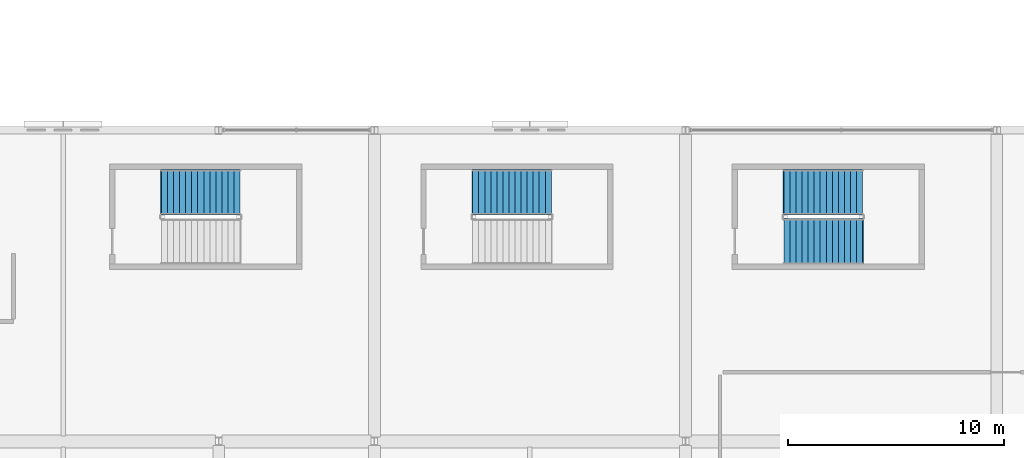
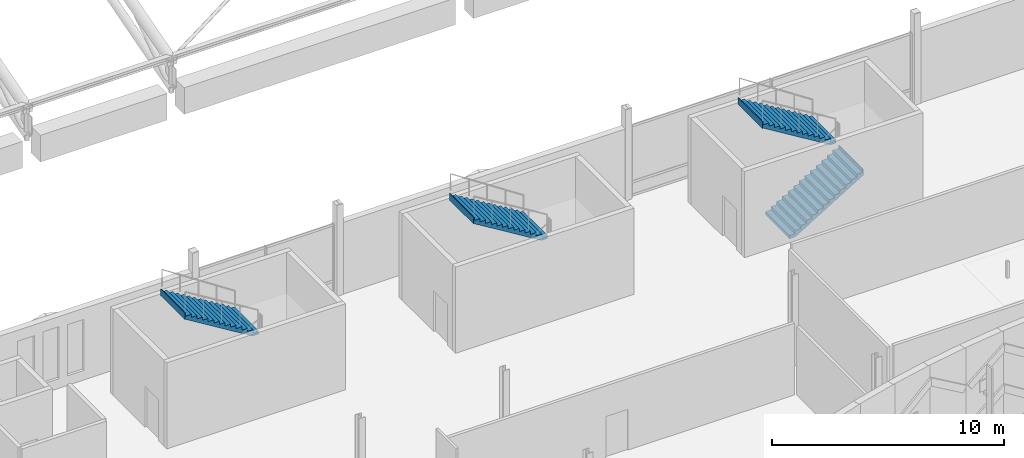
# One storey, part 165 of 193: 4 stair flights, 3 elements without a shape of their own.
"""IFC4 building model written with IfcOpenShell, lengths in metres."""

from ifc_helpers import new_model, si_unit, direction, frame, origin, place, context, subcontext, project, spatial, triangles, material, type_object, element, aggregate, save


model = new_model("IFC4")

# Units and contexts
model_context = context("Model", 3, precision=1e-05, world=origin(), true_north=direction((0.0, 1.0)))
body_context = subcontext(model_context, "Body", "Model", "MODEL_VIEW")
ifc_project = project(units=[si_unit("LENGTHUNIT", "METRE"), si_unit("AREAUNIT", "SQUARE_METRE"), si_unit("VOLUMEUNIT", "CUBIC_METRE"), si_unit("PLANEANGLEUNIT", "RADIAN"), si_unit("MASSUNIT", "GRAM", prefix="KILO")], contexts=[model_context])

# Site, building, storey
site_placement = place(None, origin())
site = spatial("IfcSite", under=ifc_project, at=site_placement, CompositionType="ELEMENT")
building_placement = place(site_placement, origin())
building = spatial("IfcBuilding", under=site, at=building_placement, Name="Cendralis Lancet Convention Centre", CompositionType="ELEMENT")
storey_placement = place(building_placement, frame((0.0, 0.0, 10.199951171875)))
storey = spatial("IfcBuildingStorey", under=building, at=storey_placement, Name="L02", CompositionType="ELEMENT", Elevation=10.199951171875)

# Stair, stair flight
ifc_material = material(Name="Concrete G35 (C35/45)", Category="concrete")
stair_type = type_object("IfcStairType", Name="ARC-ST-CORE", PredefinedType="HALF_TURN_STAIR", material=ifc_material)
stair_1_placement = place(storey_placement, origin())
stair_1 = element("IfcStair", 1, at=stair_1_placement, inside=storey, type_object=stair_type, Name="L02 Protected Exit Stair ST-12", PredefinedType="HALF_TURN_STAIR")
stair_flight_type = type_object("IfcStairFlightType", Name="ARC-SF-CORE", PredefinedType="STRAIGHT", material=ifc_material)
stair_flight_1_placement = place(storey_placement, frame((72.989990234375, 33.1298828125, 2.400146484375), z_axis=(0.0, 0.0, 1.0), x_axis=(-1.0, 0.0, 0.0)))
stair_flight_1 = element("IfcStairFlight", 2, at=stair_flight_1_placement, type_object=stair_flight_type, Name="ST-12 flight 2", NumberOfRisers=14, NumberOfTreads=13, PredefinedType="STRAIGHT", RiserHeight=0.171428571, TreadLength=0.28, context=body_context, shape_type="Tessellation", body=[
    triangles([(0.0, 0.0, 0.085714), (0.0, 1.050049, 0.0), (0.0, -1.050049, 0.0), (0.0, -1.050049, 0.171429), (0.0, 1.050049, 0.171429), (0.14, 0.0, 0.171429), (0.28, -1.050049, 0.171429), (0.28, 1.050049, 0.171429), (0.14, 0.0, 0.0), (0.28, -1.050049, 0.0), (0.28, 1.050049, 0.0), (0.28, 0.0, 0.257143), (0.28, -1.050049, 0.342857), (0.28, 1.050049, 0.342857), (0.283543, 0.0, 0.342857), (0.287085, -1.050049, 0.342857), (0.287085, 1.050049, 0.342857), (0.283543, 0.0, 0.0), (0.287085, -1.050049, 0.0), (0.287085, 1.050049, 0.0), (0.423543, 0.0, 0.342857), (0.56, -1.050049, 0.342857), (0.56, 1.050049, 0.342857), (0.423543, 0.0, 0.083545), (0.56, -1.050049, 0.167091), (0.56, 1.050049, 0.167091), (0.56, 0.0, 0.428572), (0.56, -1.050049, 0.514286), (0.56, 1.050049, 0.514286), (0.7, 0.0, 0.514286), (0.84, -1.050049, 0.514286), (0.84, 1.050049, 0.514286), (0.7, 0.0, 0.252806), (0.84, -1.050049, 0.33852), (0.84, 1.050049, 0.33852), (0.84, 0.0, 0.6), (0.84, -1.050049, 0.685714), (0.84, 1.050049, 0.685714), (0.98, 0.0, 0.685714), (1.12, -1.050049, 0.685714), (1.12, 1.050049, 0.685714), (0.98, 0.0, 0.424234), (1.12, -1.050049, 0.509948), (1.12, 1.050049, 0.509948), (1.12, 0.0, 0.771429), (1.12, -1.050049, 0.857143), (1.12, 1.050049, 0.857143), (1.26, 0.0, 0.857143), (1.4, -1.050049, 0.857143), (1.4, 1.050049, 0.857143), (1.26, 0.0, 0.595662), (1.4, -1.050049, 0.681377), (1.4, 1.050049, 0.681377), (1.4, 0.0, 0.942857), (1.4, -1.050049, 1.028571), (1.4, 1.050049, 1.028571), (1.54, 0.0, 1.028571), (1.68, -1.050049, 1.028571), (1.68, 1.050049, 1.028571), (1.54, 0.0, 0.767091), (1.68, -1.050049, 0.852805), (1.68, 1.050049, 0.852805), (1.68, 0.0, 1.114286), (1.68, -1.050049, 1.2), (1.68, 1.050049, 1.2), (1.82, 0.0, 1.2), (1.96, -1.050049, 1.2), (1.96, 1.050049, 1.2), (1.82, 0.0, 0.938519), (1.96, -1.050049, 1.024234), (1.96, 1.050049, 1.024234), (1.96, 0.0, 1.285715), (1.96, -1.050049, 1.371429), (1.96, 1.050049, 1.371429), (2.1, 0.0, 1.371429), (2.24, -1.050049, 1.371429), (2.24, 1.050049, 1.371429), (2.1, 0.0, 1.109948), (2.24, -1.050049, 1.195662), (2.24, 1.050049, 1.195662), (2.24, 0.0, 1.457143), (2.24, -1.050049, 1.542857), (2.24, 1.050049, 1.542857), (2.38, 0.0, 1.542857), (2.52, -1.050049, 1.542857), (2.52, 1.050049, 1.542857), (2.38, 0.0, 1.281376), (2.52, -1.050049, 1.367091), (2.52, 1.050049, 1.367091), (2.52, 0.0, 1.628572), (2.52, -1.050049, 1.714286), (2.52, 1.050049, 1.714286), (2.66, 0.0, 1.714286), (2.8, -1.050049, 1.714286), (2.8, 1.050049, 1.714286), (2.66, 0.0, 1.452806), (2.8, -1.050049, 1.53852), (2.8, 1.050049, 1.53852), (2.8, 0.0, 1.8), (2.8, -1.050049, 1.885714), (2.8, 1.050049, 1.885714), (2.94, 0.0, 1.885714), (3.08, -1.050049, 1.885714), (3.08, 1.050049, 1.885714), (2.94, 0.0, 1.624234), (3.08, -1.050049, 1.709948), (3.08, 1.050049, 1.709948), (3.08, 0.0, 1.971429), (3.08, -1.050049, 2.057143), (3.08, 1.050049, 2.057143), (3.22, 0.0, 2.057143), (3.36, -1.050049, 2.057143), (3.36, 1.050049, 2.057143), (3.22, 0.0, 1.795663), (3.36, -1.050049, 1.881377), (3.36, 1.050049, 1.881377), (3.36, 0.0, 2.142857), (3.36, -1.050049, 2.228571), (3.36, 1.050049, 2.228571), (3.5, 0.0, 2.228571), (3.64, -1.050049, 2.228571), (3.64, 1.050049, 2.228571), (3.5, 0.0, 1.967091), (3.64, -1.050049, 2.052805), (3.64, 1.050049, 2.052805), (3.64, 0.0, 2.314285), (3.64, -1.050049, 2.4), (3.64, 1.050049, 2.4), (3.66, 0.0, 2.4), (3.68, -1.050049, 2.4), (3.68, 1.050049, 2.4), (3.66, 0.0, 2.052805), (3.68, -1.050049, 2.052805), (3.68, 1.050049, 2.052805), (3.68, 0.0, 2.226403)], [[2, 3, 1], [3, 4, 1], [4, 5, 1], [5, 2, 1], [4, 7, 6], [7, 8, 6], [8, 5, 6], [5, 4, 6], [10, 3, 9], [3, 2, 9], [2, 11, 9], [11, 10, 9], [3, 10, 7], [3, 7, 4], [2, 8, 11], [2, 5, 8], [8, 7, 12], [7, 13, 12], [13, 14, 12], [14, 8, 12], [13, 16, 15], [16, 17, 15], [17, 14, 15], [14, 13, 15], [19, 10, 18], [10, 11, 18], [11, 20, 18], [20, 19, 18], [10, 19, 16], [10, 16, 7], [7, 16, 13], [11, 17, 20], [11, 8, 17], [8, 14, 17], [16, 22, 21], [22, 23, 21], [23, 17, 21], [17, 16, 21], [25, 19, 24], [19, 20, 24], [20, 26, 24], [26, 25, 24], [19, 25, 22], [19, 22, 16], [20, 23, 26], [20, 17, 23], [23, 22, 27], [22, 28, 27], [28, 29, 27], [29, 23, 27], [28, 31, 30], [31, 32, 30], [32, 29, 30], [29, 28, 30], [34, 25, 33], [25, 26, 33], [26, 35, 33], [35, 34, 33], [25, 34, 31], [25, 31, 22], [22, 31, 28], [26, 32, 35], [26, 23, 32], [23, 29, 32], [32, 31, 36], [31, 37, 36], [37, 38, 36], [38, 32, 36], [37, 40, 39], [40, 41, 39], [41, 38, 39], [38, 37, 39], [43, 34, 42], [34, 35, 42], [35, 44, 42], [44, 43, 42], [34, 43, 40], [34, 40, 31], [31, 40, 37], [35, 41, 44], [35, 32, 41], [32, 38, 41], [41, 40, 45], [40, 46, 45], [46, 47, 45], [47, 41, 45], [46, 49, 48], [49, 50, 48], [50, 47, 48], [47, 46, 48], [52, 43, 51], [43, 44, 51], [44, 53, 51], [53, 52, 51], [43, 52, 49], [43, 49, 40], [40, 49, 46], [44, 50, 53], [44, 41, 50], [41, 47, 50], [50, 49, 54], [49, 55, 54], [55, 56, 54], [56, 50, 54], [55, 58, 57], [58, 59, 57], [59, 56, 57], [56, 55, 57], [61, 52, 60], [52, 53, 60], [53, 62, 60], [62, 61, 60], [52, 61, 58], [52, 58, 49], [49, 58, 55], [53, 59, 62], [53, 50, 59], [50, 56, 59], [59, 58, 63], [58, 64, 63], [64, 65, 63], [65, 59, 63], [64, 67, 66], [67, 68, 66], [68, 65, 66], [65, 64, 66], [70, 61, 69], [61, 62, 69], [62, 71, 69], [71, 70, 69], [61, 70, 67], [61, 67, 58], [58, 67, 64], [62, 68, 71], [62, 59, 68], [59, 65, 68], [68, 67, 72], [67, 73, 72], [73, 74, 72], [74, 68, 72], [73, 76, 75], [76, 77, 75], [77, 74, 75], [74, 73, 75], [79, 70, 78], [70, 71, 78], [71, 80, 78], [80, 79, 78], [70, 79, 76], [70, 76, 67], [67, 76, 73], [71, 77, 80], [71, 68, 77], [68, 74, 77], [77, 76, 81], [76, 82, 81], [82, 83, 81], [83, 77, 81], [82, 85, 84], [85, 86, 84], [86, 83, 84], [83, 82, 84], [88, 79, 87], [79, 80, 87], [80, 89, 87], [89, 88, 87], [79, 88, 85], [79, 85, 76], [76, 85, 82], [80, 86, 89], [80, 77, 86], [77, 83, 86], [86, 85, 90], [85, 91, 90], [91, 92, 90], [92, 86, 90], [91, 94, 93], [94, 95, 93], [95, 92, 93], [92, 91, 93], [97, 88, 96], [88, 89, 96], [89, 98, 96], [98, 97, 96], [88, 97, 94], [88, 94, 85], [85, 94, 91], [89, 95, 98], [89, 86, 95], [86, 92, 95], [95, 94, 99], [94, 100, 99], [100, 101, 99], [101, 95, 99], [100, 103, 102], [103, 104, 102], [104, 101, 102], [101, 100, 102], [106, 97, 105], [97, 98, 105], [98, 107, 105], [107, 106, 105], [97, 106, 103], [97, 103, 94], [94, 103, 100], [98, 104, 107], [98, 95, 104], [95, 101, 104], [104, 103, 108], [103, 109, 108], [109, 110, 108], [110, 104, 108], [109, 112, 111], [112, 113, 111], [113, 110, 111], [110, 109, 111], [115, 106, 114], [106, 107, 114], [107, 116, 114], [116, 115, 114], [106, 115, 112], [106, 112, 103], [103, 112, 109], [107, 113, 116], [107, 104, 113], [104, 110, 113], [113, 112, 117], [112, 118, 117], [118, 119, 117], [119, 113, 117], [118, 121, 120], [121, 122, 120], [122, 119, 120], [119, 118, 120], [124, 115, 123], [115, 116, 123], [116, 125, 123], [125, 124, 123], [115, 124, 121], [115, 121, 112], [112, 121, 118], [116, 122, 125], [116, 113, 122], [113, 119, 122], [122, 121, 126], [121, 127, 126], [127, 128, 126], [128, 122, 126], [127, 130, 129], [130, 131, 129], [131, 128, 129], [128, 127, 129], [133, 124, 132], [124, 125, 132], [125, 134, 132], [134, 133, 132], [124, 133, 130], [124, 130, 121], [121, 130, 127], [125, 131, 134], [125, 122, 131], [122, 128, 131], [133, 134, 135], [134, 131, 135], [131, 130, 135], [130, 133, 135]], closed=True),
])
aggregate(stair_1, [stair_flight_1])

# Stair, stair flights
stair_2_placement = place(storey_placement, origin())
stair_2 = element("IfcStair", 3, at=stair_2_placement, inside=storey, type_object=stair_type, Name="L02 Protected Exit Stair ST-18", PredefinedType="HALF_TURN_STAIR")
stair_flight_2_placement = place(storey_placement, frame((98.14990234375, 30.85009765625, 0.0), z_axis=(0.0, 0.0, 1.0), x_axis=(1.0, 0.0, 0.0)))
stair_flight_2 = element("IfcStairFlight", 4, at=stair_flight_2_placement, type_object=stair_flight_type, Name="ST-18 flight 1", NumberOfRisers=14, NumberOfTreads=13, PredefinedType="STRAIGHT", RiserHeight=0.171428571, TreadLength=0.28, context=body_context, shape_type="Tessellation", body=[
    triangles([(0.0, 0.0, 0.085714), (0.0, 1.050049, 0.0), (0.0, -1.050049, 0.0), (0.0, -1.050049, 0.171429), (0.0, 1.050049, 0.171429), (0.14, 0.0, 0.171429), (0.28, -1.050049, 0.171429), (0.28, 1.050049, 0.171429), (0.14, 0.0, 0.0), (0.28, -1.050049, 0.0), (0.28, 1.050049, 0.0), (0.28, 0.0, 0.257143), (0.28, -1.050049, 0.342857), (0.28, 1.050049, 0.342857), (0.283543, 0.0, 0.342857), (0.287085, -1.050049, 0.342857), (0.287085, 1.050049, 0.342857), (0.283543, 0.0, 0.0), (0.287085, -1.050049, 0.0), (0.287085, 1.050049, 0.0), (0.423543, 0.0, 0.342857), (0.56, -1.050049, 0.342857), (0.56, 1.050049, 0.342857), (0.423543, 0.0, 0.083545), (0.56, -1.050049, 0.167091), (0.56, 1.050049, 0.167091), (0.56, 0.0, 0.428572), (0.56, -1.050049, 0.514286), (0.56, 1.050049, 0.514286), (0.7, 0.0, 0.514286), (0.84, -1.050049, 0.514286), (0.84, 1.050049, 0.514286), (0.7, 0.0, 0.252806), (0.84, -1.050049, 0.33852), (0.84, 1.050049, 0.33852), (0.84, 0.0, 0.6), (0.84, -1.050049, 0.685714), (0.84, 1.050049, 0.685714), (0.98, 0.0, 0.685714), (1.12, -1.050049, 0.685714), (1.12, 1.050049, 0.685714), (0.98, 0.0, 0.424234), (1.12, -1.050049, 0.509948), (1.12, 1.050049, 0.509948), (1.12, 0.0, 0.771429), (1.12, -1.050049, 0.857143), (1.12, 1.050049, 0.857143), (1.26, 0.0, 0.857143), (1.4, -1.050049, 0.857143), (1.4, 1.050049, 0.857143), (1.26, 0.0, 0.595662), (1.4, -1.050049, 0.681377), (1.4, 1.050049, 0.681377), (1.4, 0.0, 0.942857), (1.4, -1.050049, 1.028571), (1.4, 1.050049, 1.028571), (1.54, 0.0, 1.028571), (1.68, -1.050049, 1.028571), (1.68, 1.050049, 1.028571), (1.54, 0.0, 0.767091), (1.68, -1.050049, 0.852805), (1.68, 1.050049, 0.852805), (1.68, 0.0, 1.114286), (1.68, -1.050049, 1.2), (1.68, 1.050049, 1.2), (1.82, 0.0, 1.2), (1.96, -1.050049, 1.2), (1.96, 1.050049, 1.2), (1.82, 0.0, 0.938519), (1.96, -1.050049, 1.024234), (1.96, 1.050049, 1.024234), (1.96, 0.0, 1.285715), (1.96, -1.050049, 1.371429), (1.96, 1.050049, 1.371429), (2.1, 0.0, 1.371429), (2.24, -1.050049, 1.371429), (2.24, 1.050049, 1.371429), (2.1, 0.0, 1.109948), (2.24, -1.050049, 1.195662), (2.24, 1.050049, 1.195662), (2.24, 0.0, 1.457143), (2.24, -1.050049, 1.542857), (2.24, 1.050049, 1.542857), (2.38, 0.0, 1.542857), (2.52, -1.050049, 1.542857), (2.52, 1.050049, 1.542857), (2.38, 0.0, 1.281376), (2.52, -1.050049, 1.367091), (2.52, 1.050049, 1.367091), (2.52, 0.0, 1.628572), (2.52, -1.050049, 1.714286), (2.52, 1.050049, 1.714286), (2.66, 0.0, 1.714286), (2.8, -1.050049, 1.714286), (2.8, 1.050049, 1.714286), (2.66, 0.0, 1.452806), (2.8, -1.050049, 1.53852), (2.8, 1.050049, 1.53852), (2.8, 0.0, 1.8), (2.8, -1.050049, 1.885714), (2.8, 1.050049, 1.885714), (2.94, 0.0, 1.885714), (3.08, -1.050049, 1.885714), (3.08, 1.050049, 1.885714), (2.94, 0.0, 1.624234), (3.08, -1.050049, 1.709948), (3.08, 1.050049, 1.709948), (3.08, 0.0, 1.971429), (3.08, -1.050049, 2.057143), (3.08, 1.050049, 2.057143), (3.22, 0.0, 2.057143), (3.36, -1.050049, 2.057143), (3.36, 1.050049, 2.057143), (3.22, 0.0, 1.795663), (3.36, -1.050049, 1.881377), (3.36, 1.050049, 1.881377), (3.36, 0.0, 2.142857), (3.36, -1.050049, 2.228571), (3.36, 1.050049, 2.228571), (3.5, 0.0, 2.228571), (3.64, -1.050049, 2.228571), (3.64, 1.050049, 2.228571), (3.5, 0.0, 1.967091), (3.64, -1.050049, 2.052805), (3.64, 1.050049, 2.052805), (3.64, 0.0, 2.314285), (3.64, -1.050049, 2.4), (3.64, 1.050049, 2.4), (3.66, 0.0, 2.4), (3.68, -1.050049, 2.4), (3.68, 1.050049, 2.4), (3.66, 0.0, 2.052805), (3.68, -1.050049, 2.052805), (3.68, 1.050049, 2.052805), (3.68, 0.0, 2.226403)], [[2, 3, 1], [3, 4, 1], [4, 5, 1], [5, 2, 1], [4, 7, 6], [7, 8, 6], [8, 5, 6], [5, 4, 6], [10, 3, 9], [3, 2, 9], [2, 11, 9], [11, 10, 9], [3, 10, 7], [3, 7, 4], [2, 8, 11], [2, 5, 8], [8, 7, 12], [7, 13, 12], [13, 14, 12], [14, 8, 12], [13, 16, 15], [16, 17, 15], [17, 14, 15], [14, 13, 15], [19, 10, 18], [10, 11, 18], [11, 20, 18], [20, 19, 18], [10, 19, 16], [10, 16, 7], [7, 16, 13], [11, 17, 20], [11, 8, 17], [8, 14, 17], [16, 22, 21], [22, 23, 21], [23, 17, 21], [17, 16, 21], [25, 19, 24], [19, 20, 24], [20, 26, 24], [26, 25, 24], [19, 25, 22], [19, 22, 16], [20, 23, 26], [20, 17, 23], [23, 22, 27], [22, 28, 27], [28, 29, 27], [29, 23, 27], [28, 31, 30], [31, 32, 30], [32, 29, 30], [29, 28, 30], [34, 25, 33], [25, 26, 33], [26, 35, 33], [35, 34, 33], [25, 34, 31], [25, 31, 22], [22, 31, 28], [26, 32, 35], [26, 23, 32], [23, 29, 32], [32, 31, 36], [31, 37, 36], [37, 38, 36], [38, 32, 36], [37, 40, 39], [40, 41, 39], [41, 38, 39], [38, 37, 39], [43, 34, 42], [34, 35, 42], [35, 44, 42], [44, 43, 42], [34, 43, 40], [34, 40, 31], [31, 40, 37], [35, 41, 44], [35, 32, 41], [32, 38, 41], [41, 40, 45], [40, 46, 45], [46, 47, 45], [47, 41, 45], [46, 49, 48], [49, 50, 48], [50, 47, 48], [47, 46, 48], [52, 43, 51], [43, 44, 51], [44, 53, 51], [53, 52, 51], [43, 52, 49], [43, 49, 40], [40, 49, 46], [44, 50, 53], [44, 41, 50], [41, 47, 50], [50, 49, 54], [49, 55, 54], [55, 56, 54], [56, 50, 54], [55, 58, 57], [58, 59, 57], [59, 56, 57], [56, 55, 57], [61, 52, 60], [52, 53, 60], [53, 62, 60], [62, 61, 60], [52, 61, 58], [52, 58, 49], [49, 58, 55], [53, 59, 62], [53, 50, 59], [50, 56, 59], [59, 58, 63], [58, 64, 63], [64, 65, 63], [65, 59, 63], [64, 67, 66], [67, 68, 66], [68, 65, 66], [65, 64, 66], [70, 61, 69], [61, 62, 69], [62, 71, 69], [71, 70, 69], [61, 70, 67], [61, 67, 58], [58, 67, 64], [62, 68, 71], [62, 59, 68], [59, 65, 68], [68, 67, 72], [67, 73, 72], [73, 74, 72], [74, 68, 72], [73, 76, 75], [76, 77, 75], [77, 74, 75], [74, 73, 75], [79, 70, 78], [70, 71, 78], [71, 80, 78], [80, 79, 78], [70, 79, 76], [70, 76, 67], [67, 76, 73], [71, 77, 80], [71, 68, 77], [68, 74, 77], [77, 76, 81], [76, 82, 81], [82, 83, 81], [83, 77, 81], [82, 85, 84], [85, 86, 84], [86, 83, 84], [83, 82, 84], [88, 79, 87], [79, 80, 87], [80, 89, 87], [89, 88, 87], [79, 88, 85], [79, 85, 76], [76, 85, 82], [80, 86, 89], [80, 77, 86], [77, 83, 86], [86, 85, 90], [85, 91, 90], [91, 92, 90], [92, 86, 90], [91, 94, 93], [94, 95, 93], [95, 92, 93], [92, 91, 93], [97, 88, 96], [88, 89, 96], [89, 98, 96], [98, 97, 96], [88, 97, 94], [88, 94, 85], [85, 94, 91], [89, 95, 98], [89, 86, 95], [86, 92, 95], [95, 94, 99], [94, 100, 99], [100, 101, 99], [101, 95, 99], [100, 103, 102], [103, 104, 102], [104, 101, 102], [101, 100, 102], [106, 97, 105], [97, 98, 105], [98, 107, 105], [107, 106, 105], [97, 106, 103], [97, 103, 94], [94, 103, 100], [98, 104, 107], [98, 95, 104], [95, 101, 104], [104, 103, 108], [103, 109, 108], [109, 110, 108], [110, 104, 108], [109, 112, 111], [112, 113, 111], [113, 110, 111], [110, 109, 111], [115, 106, 114], [106, 107, 114], [107, 116, 114], [116, 115, 114], [106, 115, 112], [106, 112, 103], [103, 112, 109], [107, 113, 116], [107, 104, 113], [104, 110, 113], [113, 112, 117], [112, 118, 117], [118, 119, 117], [119, 113, 117], [118, 121, 120], [121, 122, 120], [122, 119, 120], [119, 118, 120], [124, 115, 123], [115, 116, 123], [116, 125, 123], [125, 124, 123], [115, 124, 121], [115, 121, 112], [112, 121, 118], [116, 122, 125], [116, 113, 122], [113, 119, 122], [122, 121, 126], [121, 127, 126], [127, 128, 126], [128, 122, 126], [127, 130, 129], [130, 131, 129], [131, 128, 129], [128, 127, 129], [133, 124, 132], [124, 125, 132], [125, 134, 132], [134, 133, 132], [124, 133, 130], [124, 130, 121], [121, 130, 127], [125, 131, 134], [125, 122, 131], [122, 128, 131], [133, 134, 135], [134, 131, 135], [131, 130, 135], [130, 133, 135]], closed=True),
])
stair_flight_3_placement = place(storey_placement, frame((101.7900390625, 33.1298828125, 2.400146484375), z_axis=(0.0, 0.0, 1.0), x_axis=(-1.0, 0.0, 0.0)))
stair_flight_3 = element("IfcStairFlight", 5, at=stair_flight_3_placement, type_object=stair_flight_type, Name="ST-18 flight 2", NumberOfRisers=14, NumberOfTreads=13, PredefinedType="STRAIGHT", RiserHeight=0.171428571, TreadLength=0.28, context=body_context, shape_type="Tessellation", body=[
    triangles([(0.0, 0.0, 0.085714), (0.0, 1.050049, 0.0), (0.0, -1.050049, 0.0), (0.0, -1.050049, 0.171429), (0.0, 1.050049, 0.171429), (0.14, 0.0, 0.171429), (0.28, -1.050049, 0.171429), (0.28, 1.050049, 0.171429), (0.14, 0.0, 0.0), (0.28, -1.050049, 0.0), (0.28, 1.050049, 0.0), (0.28, 0.0, 0.257143), (0.28, -1.050049, 0.342857), (0.28, 1.050049, 0.342857), (0.283543, 0.0, 0.342857), (0.287085, -1.050049, 0.342857), (0.287085, 1.050049, 0.342857), (0.283543, 0.0, 0.0), (0.287085, -1.050049, 0.0), (0.287085, 1.050049, 0.0), (0.423543, 0.0, 0.342857), (0.56, -1.050049, 0.342857), (0.56, 1.050049, 0.342857), (0.423543, 0.0, 0.083545), (0.56, -1.050049, 0.167091), (0.56, 1.050049, 0.167091), (0.56, 0.0, 0.428572), (0.56, -1.050049, 0.514286), (0.56, 1.050049, 0.514286), (0.7, 0.0, 0.514286), (0.84, -1.050049, 0.514286), (0.84, 1.050049, 0.514286), (0.7, 0.0, 0.252806), (0.84, -1.050049, 0.33852), (0.84, 1.050049, 0.33852), (0.84, 0.0, 0.6), (0.84, -1.050049, 0.685714), (0.84, 1.050049, 0.685714), (0.98, 0.0, 0.685714), (1.12, -1.050049, 0.685714), (1.12, 1.050049, 0.685714), (0.98, 0.0, 0.424234), (1.12, -1.050049, 0.509948), (1.12, 1.050049, 0.509948), (1.12, 0.0, 0.771429), (1.12, -1.050049, 0.857143), (1.12, 1.050049, 0.857143), (1.26, 0.0, 0.857143), (1.4, -1.050049, 0.857143), (1.4, 1.050049, 0.857143), (1.26, 0.0, 0.595662), (1.4, -1.050049, 0.681377), (1.4, 1.050049, 0.681377), (1.4, 0.0, 0.942857), (1.4, -1.050049, 1.028571), (1.4, 1.050049, 1.028571), (1.54, 0.0, 1.028571), (1.68, -1.050049, 1.028571), (1.68, 1.050049, 1.028571), (1.54, 0.0, 0.767091), (1.68, -1.050049, 0.852805), (1.68, 1.050049, 0.852805), (1.68, 0.0, 1.114286), (1.68, -1.050049, 1.2), (1.68, 1.050049, 1.2), (1.82, 0.0, 1.2), (1.96, -1.050049, 1.2), (1.96, 1.050049, 1.2), (1.82, 0.0, 0.938519), (1.96, -1.050049, 1.024234), (1.96, 1.050049, 1.024234), (1.96, 0.0, 1.285715), (1.96, -1.050049, 1.371429), (1.96, 1.050049, 1.371429), (2.1, 0.0, 1.371429), (2.24, -1.050049, 1.371429), (2.24, 1.050049, 1.371429), (2.1, 0.0, 1.109948), (2.24, -1.050049, 1.195662), (2.24, 1.050049, 1.195662), (2.24, 0.0, 1.457143), (2.24, -1.050049, 1.542857), (2.24, 1.050049, 1.542857), (2.38, 0.0, 1.542857), (2.52, -1.050049, 1.542857), (2.52, 1.050049, 1.542857), (2.38, 0.0, 1.281376), (2.52, -1.050049, 1.367091), (2.52, 1.050049, 1.367091), (2.52, 0.0, 1.628572), (2.52, -1.050049, 1.714286), (2.52, 1.050049, 1.714286), (2.66, 0.0, 1.714286), (2.8, -1.050049, 1.714286), (2.8, 1.050049, 1.714286), (2.66, 0.0, 1.452806), (2.8, -1.050049, 1.53852), (2.8, 1.050049, 1.53852), (2.8, 0.0, 1.8), (2.8, -1.050049, 1.885714), (2.8, 1.050049, 1.885714), (2.94, 0.0, 1.885714), (3.08, -1.050049, 1.885714), (3.08, 1.050049, 1.885714), (2.94, 0.0, 1.624234), (3.08, -1.050049, 1.709948), (3.08, 1.050049, 1.709948), (3.08, 0.0, 1.971429), (3.08, -1.050049, 2.057143), (3.08, 1.050049, 2.057143), (3.22, 0.0, 2.057143), (3.36, -1.050049, 2.057143), (3.36, 1.050049, 2.057143), (3.22, 0.0, 1.795663), (3.36, -1.050049, 1.881377), (3.36, 1.050049, 1.881377), (3.36, 0.0, 2.142857), (3.36, -1.050049, 2.228571), (3.36, 1.050049, 2.228571), (3.5, 0.0, 2.228571), (3.64, -1.050049, 2.228571), (3.64, 1.050049, 2.228571), (3.5, 0.0, 1.967091), (3.64, -1.050049, 2.052805), (3.64, 1.050049, 2.052805), (3.64, 0.0, 2.314285), (3.64, -1.050049, 2.4), (3.64, 1.050049, 2.4), (3.66, 0.0, 2.4), (3.68, -1.050049, 2.4), (3.68, 1.050049, 2.4), (3.66, 0.0, 2.052805), (3.68, -1.050049, 2.052805), (3.68, 1.050049, 2.052805), (3.68, 0.0, 2.226403)], [[2, 3, 1], [3, 4, 1], [4, 5, 1], [5, 2, 1], [4, 7, 6], [7, 8, 6], [8, 5, 6], [5, 4, 6], [10, 3, 9], [3, 2, 9], [2, 11, 9], [11, 10, 9], [3, 10, 7], [3, 7, 4], [2, 8, 11], [2, 5, 8], [8, 7, 12], [7, 13, 12], [13, 14, 12], [14, 8, 12], [13, 16, 15], [16, 17, 15], [17, 14, 15], [14, 13, 15], [19, 10, 18], [10, 11, 18], [11, 20, 18], [20, 19, 18], [10, 19, 16], [10, 16, 7], [7, 16, 13], [11, 17, 20], [11, 8, 17], [8, 14, 17], [16, 22, 21], [22, 23, 21], [23, 17, 21], [17, 16, 21], [25, 19, 24], [19, 20, 24], [20, 26, 24], [26, 25, 24], [19, 25, 22], [19, 22, 16], [20, 23, 26], [20, 17, 23], [23, 22, 27], [22, 28, 27], [28, 29, 27], [29, 23, 27], [28, 31, 30], [31, 32, 30], [32, 29, 30], [29, 28, 30], [34, 25, 33], [25, 26, 33], [26, 35, 33], [35, 34, 33], [25, 34, 31], [25, 31, 22], [22, 31, 28], [26, 32, 35], [26, 23, 32], [23, 29, 32], [32, 31, 36], [31, 37, 36], [37, 38, 36], [38, 32, 36], [37, 40, 39], [40, 41, 39], [41, 38, 39], [38, 37, 39], [43, 34, 42], [34, 35, 42], [35, 44, 42], [44, 43, 42], [34, 43, 40], [34, 40, 31], [31, 40, 37], [35, 41, 44], [35, 32, 41], [32, 38, 41], [41, 40, 45], [40, 46, 45], [46, 47, 45], [47, 41, 45], [46, 49, 48], [49, 50, 48], [50, 47, 48], [47, 46, 48], [52, 43, 51], [43, 44, 51], [44, 53, 51], [53, 52, 51], [43, 52, 49], [43, 49, 40], [40, 49, 46], [44, 50, 53], [44, 41, 50], [41, 47, 50], [50, 49, 54], [49, 55, 54], [55, 56, 54], [56, 50, 54], [55, 58, 57], [58, 59, 57], [59, 56, 57], [56, 55, 57], [61, 52, 60], [52, 53, 60], [53, 62, 60], [62, 61, 60], [52, 61, 58], [52, 58, 49], [49, 58, 55], [53, 59, 62], [53, 50, 59], [50, 56, 59], [59, 58, 63], [58, 64, 63], [64, 65, 63], [65, 59, 63], [64, 67, 66], [67, 68, 66], [68, 65, 66], [65, 64, 66], [70, 61, 69], [61, 62, 69], [62, 71, 69], [71, 70, 69], [61, 70, 67], [61, 67, 58], [58, 67, 64], [62, 68, 71], [62, 59, 68], [59, 65, 68], [68, 67, 72], [67, 73, 72], [73, 74, 72], [74, 68, 72], [73, 76, 75], [76, 77, 75], [77, 74, 75], [74, 73, 75], [79, 70, 78], [70, 71, 78], [71, 80, 78], [80, 79, 78], [70, 79, 76], [70, 76, 67], [67, 76, 73], [71, 77, 80], [71, 68, 77], [68, 74, 77], [77, 76, 81], [76, 82, 81], [82, 83, 81], [83, 77, 81], [82, 85, 84], [85, 86, 84], [86, 83, 84], [83, 82, 84], [88, 79, 87], [79, 80, 87], [80, 89, 87], [89, 88, 87], [79, 88, 85], [79, 85, 76], [76, 85, 82], [80, 86, 89], [80, 77, 86], [77, 83, 86], [86, 85, 90], [85, 91, 90], [91, 92, 90], [92, 86, 90], [91, 94, 93], [94, 95, 93], [95, 92, 93], [92, 91, 93], [97, 88, 96], [88, 89, 96], [89, 98, 96], [98, 97, 96], [88, 97, 94], [88, 94, 85], [85, 94, 91], [89, 95, 98], [89, 86, 95], [86, 92, 95], [95, 94, 99], [94, 100, 99], [100, 101, 99], [101, 95, 99], [100, 103, 102], [103, 104, 102], [104, 101, 102], [101, 100, 102], [106, 97, 105], [97, 98, 105], [98, 107, 105], [107, 106, 105], [97, 106, 103], [97, 103, 94], [94, 103, 100], [98, 104, 107], [98, 95, 104], [95, 101, 104], [104, 103, 108], [103, 109, 108], [109, 110, 108], [110, 104, 108], [109, 112, 111], [112, 113, 111], [113, 110, 111], [110, 109, 111], [115, 106, 114], [106, 107, 114], [107, 116, 114], [116, 115, 114], [106, 115, 112], [106, 112, 103], [103, 112, 109], [107, 113, 116], [107, 104, 113], [104, 110, 113], [113, 112, 117], [112, 118, 117], [118, 119, 117], [119, 113, 117], [118, 121, 120], [121, 122, 120], [122, 119, 120], [119, 118, 120], [124, 115, 123], [115, 116, 123], [116, 125, 123], [125, 124, 123], [115, 124, 121], [115, 121, 112], [112, 121, 118], [116, 122, 125], [116, 113, 122], [113, 119, 122], [122, 121, 126], [121, 127, 126], [127, 128, 126], [128, 122, 126], [127, 130, 129], [130, 131, 129], [131, 128, 129], [128, 127, 129], [133, 124, 132], [124, 125, 132], [125, 134, 132], [134, 133, 132], [124, 133, 130], [124, 130, 121], [121, 130, 127], [125, 131, 134], [125, 122, 131], [122, 128, 131], [133, 134, 135], [134, 131, 135], [131, 130, 135], [130, 133, 135]], closed=True),
])
aggregate(stair_2, [stair_flight_2, stair_flight_3])

# Stair, stair flight
stair_3_placement = place(storey_placement, origin())
stair_3 = element("IfcStair", 6, at=stair_3_placement, inside=storey, type_object=stair_type, Name="L02 Protected Exit Stair ST-21", PredefinedType="HALF_TURN_STAIR")
stair_flight_4_placement = place(storey_placement, frame((87.389892578125, 33.1298828125, 2.400146484375), z_axis=(0.0, 0.0, 1.0), x_axis=(-1.0, 0.0, 0.0)))
stair_flight_4 = element("IfcStairFlight", 7, at=stair_flight_4_placement, type_object=stair_flight_type, Name="ST-21 flight 2", NumberOfRisers=14, NumberOfTreads=13, PredefinedType="STRAIGHT", RiserHeight=0.171428571, TreadLength=0.28, context=body_context, shape_type="Tessellation", body=[
    triangles([(0.0, 0.0, 0.085714), (0.0, 1.050049, 0.0), (0.0, -1.050049, 0.0), (0.0, -1.050049, 0.171429), (0.0, 1.050049, 0.171429), (0.14, 0.0, 0.171429), (0.28, -1.050049, 0.171429), (0.28, 1.050049, 0.171429), (0.14, 0.0, 0.0), (0.28, -1.050049, 0.0), (0.28, 1.050049, 0.0), (0.28, 0.0, 0.257143), (0.28, -1.050049, 0.342857), (0.28, 1.050049, 0.342857), (0.283543, 0.0, 0.342857), (0.287085, -1.050049, 0.342857), (0.287085, 1.050049, 0.342857), (0.283543, 0.0, 0.0), (0.287085, -1.050049, 0.0), (0.287085, 1.050049, 0.0), (0.423543, 0.0, 0.342857), (0.56, -1.050049, 0.342857), (0.56, 1.050049, 0.342857), (0.423543, 0.0, 0.083545), (0.56, -1.050049, 0.167091), (0.56, 1.050049, 0.167091), (0.56, 0.0, 0.428572), (0.56, -1.050049, 0.514286), (0.56, 1.050049, 0.514286), (0.7, 0.0, 0.514286), (0.84, -1.050049, 0.514286), (0.84, 1.050049, 0.514286), (0.7, 0.0, 0.252806), (0.84, -1.050049, 0.33852), (0.84, 1.050049, 0.33852), (0.84, 0.0, 0.6), (0.84, -1.050049, 0.685714), (0.84, 1.050049, 0.685714), (0.98, 0.0, 0.685714), (1.12, -1.050049, 0.685714), (1.12, 1.050049, 0.685714), (0.98, 0.0, 0.424234), (1.12, -1.050049, 0.509948), (1.12, 1.050049, 0.509948), (1.12, 0.0, 0.771429), (1.12, -1.050049, 0.857143), (1.12, 1.050049, 0.857143), (1.26, 0.0, 0.857143), (1.4, -1.050049, 0.857143), (1.4, 1.050049, 0.857143), (1.26, 0.0, 0.595662), (1.4, -1.050049, 0.681377), (1.4, 1.050049, 0.681377), (1.4, 0.0, 0.942857), (1.4, -1.050049, 1.028571), (1.4, 1.050049, 1.028571), (1.54, 0.0, 1.028571), (1.68, -1.050049, 1.028571), (1.68, 1.050049, 1.028571), (1.54, 0.0, 0.767091), (1.68, -1.050049, 0.852805), (1.68, 1.050049, 0.852805), (1.68, 0.0, 1.114286), (1.68, -1.050049, 1.2), (1.68, 1.050049, 1.2), (1.82, 0.0, 1.2), (1.96, -1.050049, 1.2), (1.96, 1.050049, 1.2), (1.82, 0.0, 0.938519), (1.96, -1.050049, 1.024234), (1.96, 1.050049, 1.024234), (1.96, 0.0, 1.285715), (1.96, -1.050049, 1.371429), (1.96, 1.050049, 1.371429), (2.1, 0.0, 1.371429), (2.24, -1.050049, 1.371429), (2.24, 1.050049, 1.371429), (2.1, 0.0, 1.109948), (2.24, -1.050049, 1.195662), (2.24, 1.050049, 1.195662), (2.24, 0.0, 1.457143), (2.24, -1.050049, 1.542857), (2.24, 1.050049, 1.542857), (2.38, 0.0, 1.542857), (2.52, -1.050049, 1.542857), (2.52, 1.050049, 1.542857), (2.38, 0.0, 1.281376), (2.52, -1.050049, 1.367091), (2.52, 1.050049, 1.367091), (2.52, 0.0, 1.628572), (2.52, -1.050049, 1.714286), (2.52, 1.050049, 1.714286), (2.66, 0.0, 1.714286), (2.8, -1.050049, 1.714286), (2.8, 1.050049, 1.714286), (2.66, 0.0, 1.452806), (2.8, -1.050049, 1.53852), (2.8, 1.050049, 1.53852), (2.8, 0.0, 1.8), (2.8, -1.050049, 1.885714), (2.8, 1.050049, 1.885714), (2.94, 0.0, 1.885714), (3.08, -1.050049, 1.885714), (3.08, 1.050049, 1.885714), (2.94, 0.0, 1.624234), (3.08, -1.050049, 1.709948), (3.08, 1.050049, 1.709948), (3.08, 0.0, 1.971429), (3.08, -1.050049, 2.057143), (3.08, 1.050049, 2.057143), (3.22, 0.0, 2.057143), (3.36, -1.050049, 2.057143), (3.36, 1.050049, 2.057143), (3.22, 0.0, 1.795663), (3.36, -1.050049, 1.881377), (3.36, 1.050049, 1.881377), (3.36, 0.0, 2.142857), (3.36, -1.050049, 2.228571), (3.36, 1.050049, 2.228571), (3.5, 0.0, 2.228571), (3.64, -1.050049, 2.228571), (3.64, 1.050049, 2.228571), (3.5, 0.0, 1.967091), (3.64, -1.050049, 2.052805), (3.64, 1.050049, 2.052805), (3.64, 0.0, 2.314285), (3.64, -1.050049, 2.4), (3.64, 1.050049, 2.4), (3.66, 0.0, 2.4), (3.68, -1.050049, 2.4), (3.68, 1.050049, 2.4), (3.66, 0.0, 2.052805), (3.68, -1.050049, 2.052805), (3.68, 1.050049, 2.052805), (3.68, 0.0, 2.226403)], [[2, 3, 1], [3, 4, 1], [4, 5, 1], [5, 2, 1], [4, 7, 6], [7, 8, 6], [8, 5, 6], [5, 4, 6], [10, 3, 9], [3, 2, 9], [2, 11, 9], [11, 10, 9], [3, 10, 7], [3, 7, 4], [2, 8, 11], [2, 5, 8], [8, 7, 12], [7, 13, 12], [13, 14, 12], [14, 8, 12], [13, 16, 15], [16, 17, 15], [17, 14, 15], [14, 13, 15], [19, 10, 18], [10, 11, 18], [11, 20, 18], [20, 19, 18], [10, 19, 16], [10, 16, 7], [7, 16, 13], [11, 17, 20], [11, 8, 17], [8, 14, 17], [16, 22, 21], [22, 23, 21], [23, 17, 21], [17, 16, 21], [25, 19, 24], [19, 20, 24], [20, 26, 24], [26, 25, 24], [19, 25, 22], [19, 22, 16], [20, 23, 26], [20, 17, 23], [23, 22, 27], [22, 28, 27], [28, 29, 27], [29, 23, 27], [28, 31, 30], [31, 32, 30], [32, 29, 30], [29, 28, 30], [34, 25, 33], [25, 26, 33], [26, 35, 33], [35, 34, 33], [25, 34, 31], [25, 31, 22], [22, 31, 28], [26, 32, 35], [26, 23, 32], [23, 29, 32], [32, 31, 36], [31, 37, 36], [37, 38, 36], [38, 32, 36], [37, 40, 39], [40, 41, 39], [41, 38, 39], [38, 37, 39], [43, 34, 42], [34, 35, 42], [35, 44, 42], [44, 43, 42], [34, 43, 40], [34, 40, 31], [31, 40, 37], [35, 41, 44], [35, 32, 41], [32, 38, 41], [41, 40, 45], [40, 46, 45], [46, 47, 45], [47, 41, 45], [46, 49, 48], [49, 50, 48], [50, 47, 48], [47, 46, 48], [52, 43, 51], [43, 44, 51], [44, 53, 51], [53, 52, 51], [43, 52, 49], [43, 49, 40], [40, 49, 46], [44, 50, 53], [44, 41, 50], [41, 47, 50], [50, 49, 54], [49, 55, 54], [55, 56, 54], [56, 50, 54], [55, 58, 57], [58, 59, 57], [59, 56, 57], [56, 55, 57], [61, 52, 60], [52, 53, 60], [53, 62, 60], [62, 61, 60], [52, 61, 58], [52, 58, 49], [49, 58, 55], [53, 59, 62], [53, 50, 59], [50, 56, 59], [59, 58, 63], [58, 64, 63], [64, 65, 63], [65, 59, 63], [64, 67, 66], [67, 68, 66], [68, 65, 66], [65, 64, 66], [70, 61, 69], [61, 62, 69], [62, 71, 69], [71, 70, 69], [61, 70, 67], [61, 67, 58], [58, 67, 64], [62, 68, 71], [62, 59, 68], [59, 65, 68], [68, 67, 72], [67, 73, 72], [73, 74, 72], [74, 68, 72], [73, 76, 75], [76, 77, 75], [77, 74, 75], [74, 73, 75], [79, 70, 78], [70, 71, 78], [71, 80, 78], [80, 79, 78], [70, 79, 76], [70, 76, 67], [67, 76, 73], [71, 77, 80], [71, 68, 77], [68, 74, 77], [77, 76, 81], [76, 82, 81], [82, 83, 81], [83, 77, 81], [82, 85, 84], [85, 86, 84], [86, 83, 84], [83, 82, 84], [88, 79, 87], [79, 80, 87], [80, 89, 87], [89, 88, 87], [79, 88, 85], [79, 85, 76], [76, 85, 82], [80, 86, 89], [80, 77, 86], [77, 83, 86], [86, 85, 90], [85, 91, 90], [91, 92, 90], [92, 86, 90], [91, 94, 93], [94, 95, 93], [95, 92, 93], [92, 91, 93], [97, 88, 96], [88, 89, 96], [89, 98, 96], [98, 97, 96], [88, 97, 94], [88, 94, 85], [85, 94, 91], [89, 95, 98], [89, 86, 95], [86, 92, 95], [95, 94, 99], [94, 100, 99], [100, 101, 99], [101, 95, 99], [100, 103, 102], [103, 104, 102], [104, 101, 102], [101, 100, 102], [106, 97, 105], [97, 98, 105], [98, 107, 105], [107, 106, 105], [97, 106, 103], [97, 103, 94], [94, 103, 100], [98, 104, 107], [98, 95, 104], [95, 101, 104], [104, 103, 108], [103, 109, 108], [109, 110, 108], [110, 104, 108], [109, 112, 111], [112, 113, 111], [113, 110, 111], [110, 109, 111], [115, 106, 114], [106, 107, 114], [107, 116, 114], [116, 115, 114], [106, 115, 112], [106, 112, 103], [103, 112, 109], [107, 113, 116], [107, 104, 113], [104, 110, 113], [113, 112, 117], [112, 118, 117], [118, 119, 117], [119, 113, 117], [118, 121, 120], [121, 122, 120], [122, 119, 120], [119, 118, 120], [124, 115, 123], [115, 116, 123], [116, 125, 123], [125, 124, 123], [115, 124, 121], [115, 121, 112], [112, 121, 118], [116, 122, 125], [116, 113, 122], [113, 119, 122], [122, 121, 126], [121, 127, 126], [127, 128, 126], [128, 122, 126], [127, 130, 129], [130, 131, 129], [131, 128, 129], [128, 127, 129], [133, 124, 132], [124, 125, 132], [125, 134, 132], [134, 133, 132], [124, 133, 130], [124, 130, 121], [121, 130, 127], [125, 131, 134], [125, 122, 131], [122, 128, 131], [133, 134, 135], [134, 131, 135], [131, 130, 135], [130, 133, 135]], closed=True),
])
aggregate(stair_3, [stair_flight_4])

save(model, "model.ifc")
